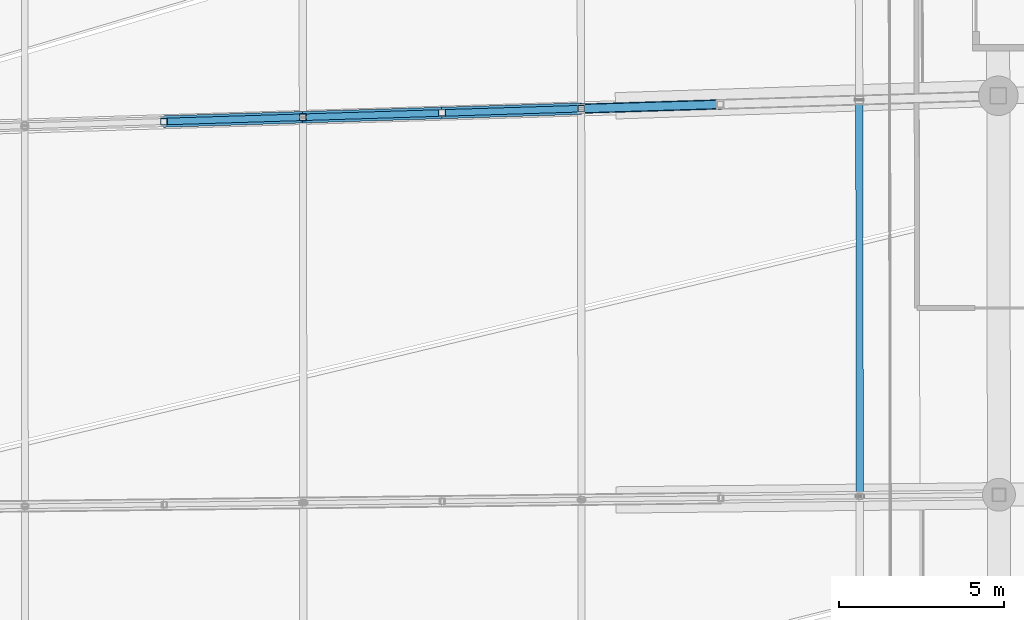
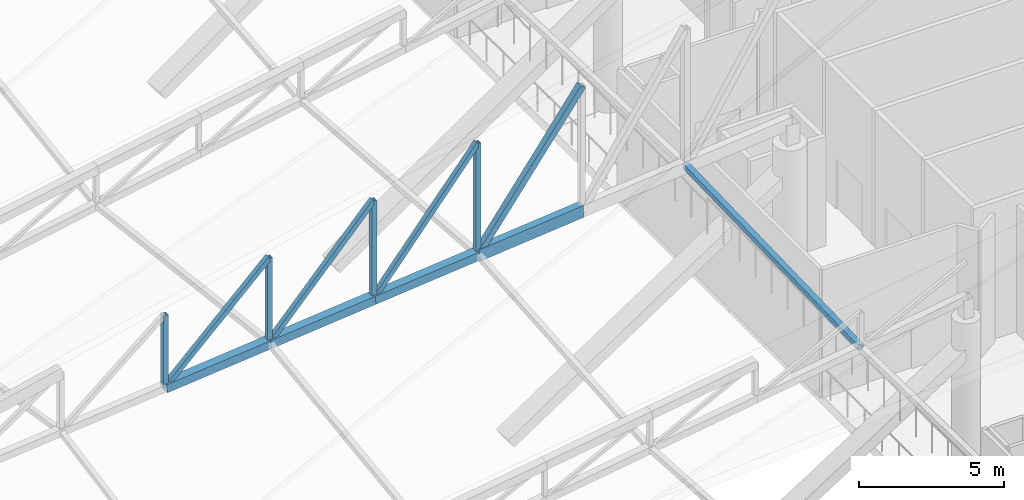
# One storey, part 112 of 344: 13 members.
"""IFC4 building model written with IfcOpenShell, lengths in metres."""

from ifc_helpers import new_model, si_unit, direction, frame, origin, origin_2d, place, context, subcontext, project, spatial, hollow_rectangle, extrude, material, material_profile, profile_set, type_object, element, save


model = new_model("IFC4")

# Units and contexts
model_context = context("Model", 3, precision=1e-05, world=origin(), true_north=direction((0.0, 1.0)))
body_context = subcontext(model_context, "Body", "Model", "MODEL_VIEW")
ifc_project = project(units=[si_unit("LENGTHUNIT", "METRE"), si_unit("AREAUNIT", "SQUARE_METRE"), si_unit("VOLUMEUNIT", "CUBIC_METRE"), si_unit("PLANEANGLEUNIT", "RADIAN"), si_unit("MASSUNIT", "GRAM", prefix="KILO")], contexts=[model_context])

# Site, building, storey
site_placement = place(None, origin())
site = spatial("IfcSite", under=ifc_project, at=site_placement, CompositionType="ELEMENT")
building_placement = place(site_placement, origin())
building = spatial("IfcBuilding", under=site, at=building_placement, Name="Meseta Stadium", CompositionType="ELEMENT")
storey_placement = place(building_placement, frame((0.0, 0.0, 24.0)))
storey = spatial("IfcBuildingStorey", under=building, at=storey_placement, Name="L04", CompositionType="ELEMENT", Elevation=24.0)

# Members
ifc_material_1 = material(Name="Steel S355", Category="steel")
ifc_material_profile_1 = material_profile(ifc_material_1, hollow_rectangle(XDim=0.300048828125, YDim=0.5, WallThickness=0.01611328125, at=origin_2d()), Name="RHS 500x300x16")
ifc_profile_set_1 = profile_set([ifc_material_profile_1], Name="Steel S355")
member_type_1 = type_object("IfcMemberType", Name="RHS 500x300x16 bottom chord", PredefinedType="CHORD", material=ifc_profile_set_1)
member_1_placement = place(storey_placement, frame((72.318115234375, 17.85302734375, 5.938232421875), z_axis=(0.996938731465, 0.030799264252, 0.071864949922), x_axis=(-0.030879106142, 0.999523126698, 0.0)))
element("IfcMember", 1, at=member_1_placement, inside=storey, type_object=member_type_1, Name="ROOF TRUSS RT-06 bottom chord", PredefinedType="CHORD", context=body_context, shape_type="SweptSolid", body=[
    extrude(hollow_rectangle(XDim=0.300048828125, YDim=0.5, WallThickness=0.01611328125, at=origin_2d()), origin(), (0.0, 0.0, 1.0), 4.23291015625),
])
ifc_material_2 = material(Name="Steel S355", Category="steel")
ifc_material_profile_2 = material_profile(ifc_material_2, hollow_rectangle(XDim=0.199951171875, YDim=0.199951171875, WallThickness=0.008056640625, at=origin_2d()), Name="SHS 200x200x8")
ifc_profile_set_2 = profile_set([ifc_material_profile_2], Name="Steel S355")
member_type_2 = type_object("IfcMemberType", Name="SHS 200x200x8 diagonal", PredefinedType="BRACE", material=ifc_profile_set_2)
member_2_placement = place(storey_placement, frame((59.657470703125, 17.462646484375, 5.025390625), z_axis=(0.734515583044, 0.02264820119, 0.67821376958), x_axis=(-0.030819553754, 0.999524964724, 0.0)))
element("IfcMember", 2, at=member_2_placement, inside=storey, type_object=member_type_2, Name="ROOF TRUSS RT-06 diagonal", PredefinedType="BRACE", context=body_context, shape_type="SweptSolid", body=[
    extrude(hollow_rectangle(XDim=0.199951171875, YDim=0.199951171875, WallThickness=0.008056640625, at=origin_2d()), origin(), (0.0, 0.0, 1.0), 5.74560546875),
])
member_3_placement = place(storey_placement, frame((63.877685546875, 17.5927734375, 5.32958984375), z_axis=(0.688371343132, 0.021225380417, 0.725047844753), x_axis=(-0.030819553754, 0.999524964724, 0.0)))
element("IfcMember", 3, at=member_3_placement, inside=storey, type_object=member_type_2, Name="ROOF TRUSS RT-06 diagonal", PredefinedType="BRACE", context=body_context, shape_type="SweptSolid", body=[
    extrude(hollow_rectangle(XDim=0.199951171875, YDim=0.199951171875, WallThickness=0.008056640625, at=origin_2d()), origin(), (0.0, 0.0, 1.0), 6.130615234375),
])
member_4_placement = place(storey_placement, frame((68.097900390625, 17.722900390625, 5.6337890625), z_axis=(0.645389113314, 0.0199000577, 0.763594709331), x_axis=(-0.030819553754, 0.999524964724, 0.0)))
element("IfcMember", 4, at=member_4_placement, inside=storey, type_object=member_type_2, Name="ROOF TRUSS RT-06 diagonal", PredefinedType="BRACE", context=body_context, shape_type="SweptSolid", body=[
    extrude(hollow_rectangle(XDim=0.199951171875, YDim=0.199951171875, WallThickness=0.008056640625, at=origin_2d()), origin(), (0.0, 0.0, 1.0), 6.5390625),
])
ifc_material_3 = material(Name="Steel S355", Category="steel")
ifc_material_profile_3 = material_profile(ifc_material_3, hollow_rectangle(XDim=0.199951171875, YDim=0.199951171875, WallThickness=0.008056640625, at=origin_2d()), Name="SHS 200x200x8")
ifc_profile_set_3 = profile_set([ifc_material_profile_3], Name="Steel S355")
member_type_3 = type_object("IfcMemberType", Name="SHS 200x200x8 post", PredefinedType="POST", material=ifc_profile_set_3)
member_5_placement = place(storey_placement, frame((59.657470703125, 17.462646484375, 5.025390625), z_axis=(0.0, 0.0, 1.0), x_axis=(1.0, 0.0, 0.0)))
element("IfcMember", 5, at=member_5_placement, inside=storey, type_object=member_type_3, Name="ROOF TRUSS RT-06 post", PredefinedType="POST", context=body_context, shape_type="SweptSolid", body=[
    extrude(hollow_rectangle(XDim=0.199951171875, YDim=0.199951171875, WallThickness=0.008056640625, at=origin_2d()), origin(), (0.0, 0.0, 1.0), 3.04443359375),
])
member_6_placement = place(storey_placement, frame((63.877685546875, 17.5927734375, 5.32958984375), z_axis=(0.0, 0.0, 1.0), x_axis=(1.0, 0.0, 0.0)))
element("IfcMember", 6, at=member_6_placement, inside=storey, type_object=member_type_3, Name="ROOF TRUSS RT-06 post", PredefinedType="POST", context=body_context, shape_type="SweptSolid", body=[
    extrude(hollow_rectangle(XDim=0.199951171875, YDim=0.199951171875, WallThickness=0.008056640625, at=origin_2d()), origin(), (0.0, 0.0, 1.0), 3.592529296875),
])
member_7_placement = place(storey_placement, frame((68.097900390625, 17.722900390625, 5.6337890625), z_axis=(0.0, 0.0, 1.0), x_axis=(1.0, 0.0, 0.0)))
element("IfcMember", 7, at=member_7_placement, inside=storey, type_object=member_type_3, Name="ROOF TRUSS RT-06 post", PredefinedType="POST", context=body_context, shape_type="SweptSolid", body=[
    extrude(hollow_rectangle(XDim=0.199951171875, YDim=0.199951171875, WallThickness=0.008056640625, at=origin_2d()), origin(), (0.0, 0.0, 1.0), 4.140869140625),
])
member_8_placement = place(storey_placement, frame((72.318115234375, 17.85302734375, 5.938232421875), z_axis=(0.0, 0.0, 1.0), x_axis=(1.0, 0.0, 0.0)))
element("IfcMember", 8, at=member_8_placement, inside=storey, type_object=member_type_3, Name="ROOF TRUSS RT-06 post", PredefinedType="POST", context=body_context, shape_type="SweptSolid", body=[
    extrude(hollow_rectangle(XDim=0.199951171875, YDim=0.199951171875, WallThickness=0.008056640625, at=origin_2d()), origin(), (0.0, 0.0, 1.0), 4.688720703125),
])
ifc_material_4 = material(Name="Steel S355", Category="steel")
ifc_material_profile_4 = material_profile(ifc_material_4, hollow_rectangle(XDim=0.219970703125, YDim=0.219970703125, WallThickness=0.008056640625, at=origin_2d()), Name="SHS 220x220x8")
ifc_profile_set_4 = profile_set([ifc_material_profile_4], Name="Steel S355")
member_type_4 = type_object("IfcMemberType", Name="SHS 220x220x8 strut", PredefinedType="STRUT", material=ifc_profile_set_4)
member_9_placement = place(storey_placement, frame((80.775146484375, 6.087646484375, 6.187255859375), z_axis=(-0.001400161268, 0.999552808136, 0.02987010706), x_axis=(-0.999999018898, -0.001400786315, 0.0)))
element("IfcMember", 9, at=member_9_placement, inside=storey, type_object=member_type_4, Name="ROOF TRUSS STRUT RT-05/06", PredefinedType="STRUT", context=body_context, shape_type="SweptSolid", body=[
    extrude(hollow_rectangle(XDim=0.219970703125, YDim=0.219970703125, WallThickness=0.008056640625, at=origin_2d()), origin(), (0.0, 0.0, 1.0), 12.03125),
])
ifc_material_5 = material(Name="Steel S355", Category="steel")
ifc_material_profile_5 = material_profile(ifc_material_5, hollow_rectangle(XDim=0.25, YDim=0.25, WallThickness=0.010009765625, at=origin_2d()), Name="SHS 250x250x10")
ifc_profile_set_5 = profile_set([ifc_material_profile_5], Name="Steel S355")
member_type_5 = type_object("IfcMemberType", Name="SHS 250x250x10 diagonal", PredefinedType="BRACE", material=ifc_profile_set_5)
member_10_placement = place(storey_placement, frame((72.318115234375, 17.85302734375, 5.938232421875), z_axis=(0.60576073216, 0.018714274283, 0.795426747923), x_axis=(-0.030879106142, 0.999523126698, 0.0)))
element("IfcMember", 10, at=member_10_placement, inside=storey, type_object=member_type_5, Name="ROOF TRUSS RT-06 diagonal", PredefinedType="BRACE", context=body_context, shape_type="SweptSolid", body=[
    extrude(hollow_rectangle(XDim=0.25, YDim=0.25, WallThickness=0.010009765625, at=origin_2d()), origin(), (0.0, 0.0, 1.0), 6.96630859375),
])
ifc_material_6 = material(Name="Steel S355", Category="steel")
ifc_material_profile_6 = material_profile(ifc_material_6, hollow_rectangle(XDim=0.35009765625, YDim=0.35009765625, WallThickness=0.01416015625, at=origin_2d()), Name="SHS 350x350x14.2")
ifc_profile_set_6 = profile_set([ifc_material_profile_6], Name="Steel S355")
member_type_6 = type_object("IfcMemberType", Name="SHS 350x350x14.2 bottom chord", PredefinedType="CHORD", material=ifc_profile_set_6)
for number, where, z_axis, x_axis, name in (
    (11, (59.657470703125, 17.462646484375, 5.025390625), (0.996940853121, 0.030739874738, 0.071860945446), (-0.030819553754, 0.999524964724, 0.0), "ROOF TRUSS RT-06 bottom chord"),
    (12, (63.877685546875, 17.5927734375, 5.32958984375), (0.996940853121, 0.030739874738, 0.071860945446), (-0.030819553754, 0.999524964724, 0.0), "ROOF TRUSS RT-06 bottom chord"),
    (13, (68.097900390625, 17.722900390625, 5.6337890625), (0.996936719708, 0.030739747287, 0.071918320576), (-0.030819553754, 0.999524964724, 0.0), "ROOF TRUSS RT-06 bottom chord"),
):
    element("IfcMember", number, at=place(storey_placement, frame(where, z_axis=z_axis, x_axis=x_axis)), inside=storey, type_object=member_type_6, Name=name, PredefinedType="CHORD", context=body_context, shape_type="SweptSolid", body=[
        extrude(hollow_rectangle(XDim=0.35009765625, YDim=0.35009765625, WallThickness=0.01416015625, at=origin_2d()), origin(), (0.0, 0.0, 1.0), 4.233154296875),
    ])

save(model, "model.ifc")
